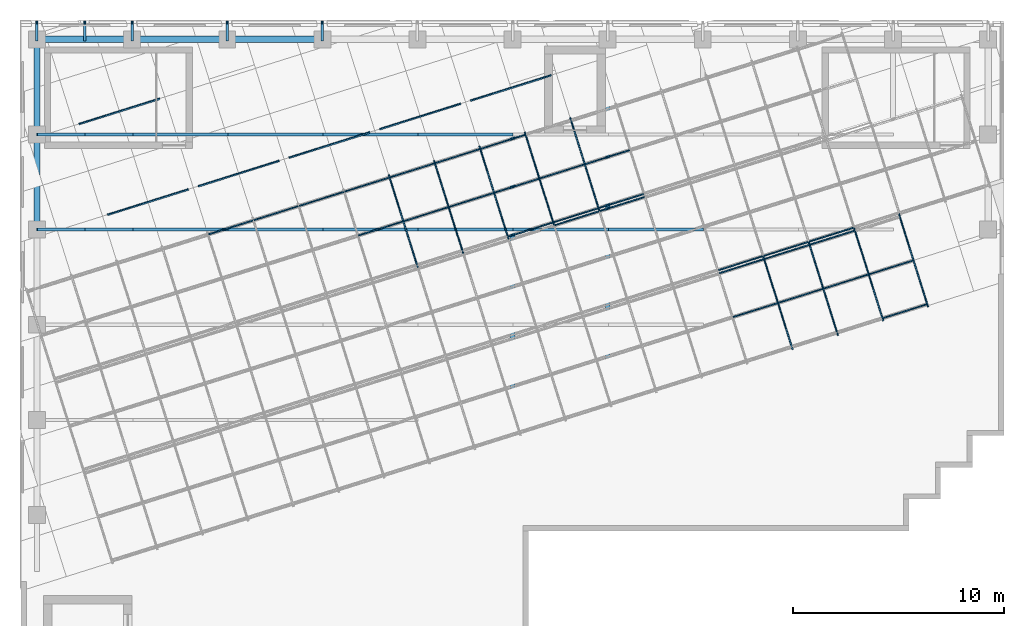
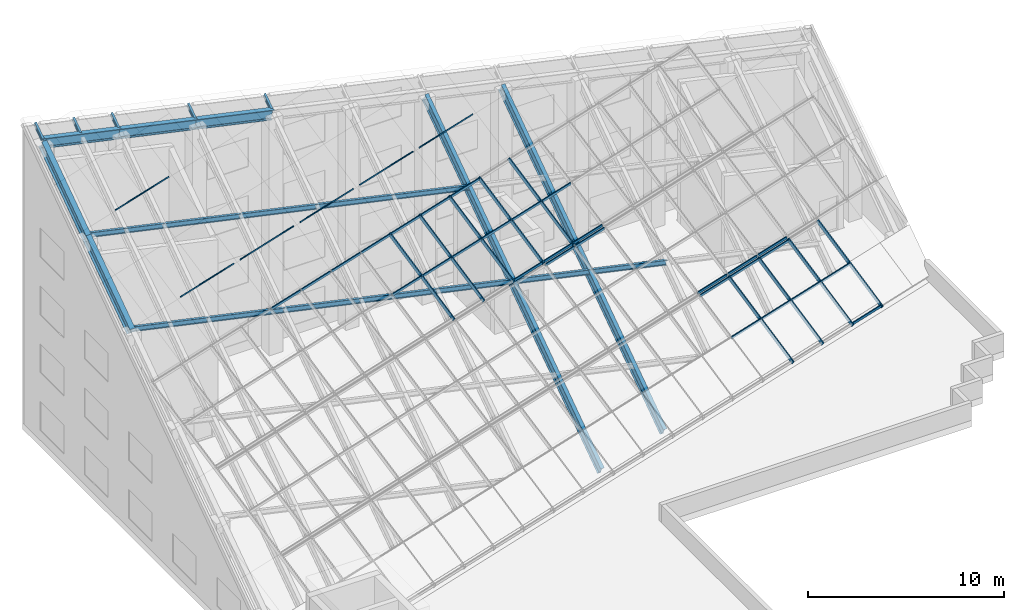
# One storey, part 4 of 14: 70 members, 3 elements without a shape of their own.
"""IFC4 building model written with IfcOpenShell, lengths in metres."""

from ifc_helpers import new_model, si_unit, direction, frame, origin, origin_2d, place, context, subcontext, project, spatial, rectangle, i_section, extrude, material, material_profile, profile_set, type_object, element, aggregate, save


model = new_model("IFC4")

# Units and contexts
model_context = context("Model", 3, precision=1e-05, world=origin(), true_north=direction((0.0, 1.0)))
body_context = subcontext(model_context, "Body", "Model", "MODEL_VIEW")
ifc_project = project(units=[si_unit("LENGTHUNIT", "METRE"), si_unit("AREAUNIT", "SQUARE_METRE"), si_unit("VOLUMEUNIT", "CUBIC_METRE"), si_unit("PLANEANGLEUNIT", "RADIAN"), si_unit("MASSUNIT", "GRAM", prefix="KILO")], contexts=[model_context])

# Site, building, storey
site_placement = place(None, origin())
site = spatial("IfcSite", under=ifc_project, at=site_placement, CompositionType="ELEMENT")
building_placement = place(site_placement, origin())
building = spatial("IfcBuilding", under=site, at=building_placement, Name="Firuza Court", CompositionType="ELEMENT")
storey_placement = place(building_placement, frame((0.0, 0.0, 266.199951171875)))
storey = spatial("IfcBuildingStorey", under=building, at=storey_placement, Name="L68 Crown", CompositionType="ELEMENT", Elevation=266.199951171875)

# Members
ifc_material_1 = material(Name="Steel S355", Category="steel")
ifc_material_profile_1 = material_profile(ifc_material_1, i_section(OverallWidth=0.1201171875, OverallDepth=0.239990234375, WebThickness=0.006103515625, FlangeThickness=0.009765625, FilletRadius=0.014892578125, at=origin_2d()), Name="IPE 240")
ifc_profile_set_1 = profile_set([ifc_material_profile_1], Name="Steel S355")
member_type_1 = type_object("IfcMemberType", Name="Crown eave bracket IPE 240 S355", PredefinedType="MEMBER", material=ifc_profile_set_1)
for number, where, z_axis, x_axis, name in (
    (1, (0.0, 58.5, 17.800048828125), (0.0, 0.82192121819, 0.569601185996), (-1.0, 0.0, 0.0), "Crown frame eave bracket"),
    (2, (2.25, 58.5, 17.3095703125), (0.0, 0.82192121819, 0.569601185996), (-1.0, 0.0, 0.0), "Crown frame eave bracket"),
    (3, (4.5, 58.5, 16.819091796875), (0.0, 0.82192121819, 0.569601185996), (-1.0, 0.0, 0.0), "Crown frame eave bracket"),
    (4, (9.0, 58.5, 15.83837890625), (0.0, 0.82192121819, 0.569601185996), (-1.0, 0.0, 0.0), "Crown frame eave bracket"),
    (5, (13.5, 58.5, 14.857666015625), (0.0, 0.82192121819, 0.569601185996), (-1.0, 0.0, 0.0), "Crown frame eave bracket"),
):
    element("IfcMember", number, at=place(storey_placement, frame(where, z_axis=z_axis, x_axis=x_axis)), inside=storey, type_object=member_type_1, Name=name, PredefinedType="MEMBER", context=body_context, shape_type="SweptSolid", body=[
        extrude(i_section(OverallWidth=0.1201171875, OverallDepth=0.239990234375, WebThickness=0.006103515625, FlangeThickness=0.009765625, FilletRadius=0.014892578125, at=origin_2d()), origin(), (0.0, 0.0, 1.0), 0.973388671875),
    ])
ifc_material_2 = material(Name="Steel S355", Category="steel")
ifc_material_profile_2 = material_profile(ifc_material_2, i_section(OverallWidth=0.14990234375, OverallDepth=0.300048828125, WebThickness=0.007080078125, FlangeThickness=0.0107421875, FilletRadius=0.014892578125, at=origin_2d()), Name="IPE 300")
ifc_profile_set_2 = profile_set([ifc_material_profile_2], Name="Steel S355")
member_type_2 = type_object("IfcMemberType", Name="Crown purlin IPE 300 S355", PredefinedType="PURLIN", material=ifc_profile_set_2)
for number, where, z_axis, x_axis, name in (
    (6, (0.0, 49.5, 11.482666015625), (0.97707674371, 0.0, -0.212887380791), (0.0, 1.0, 0.0), "Crown frame purlin"),
    (7, (2.25, 49.5, 10.992431640625), (0.977054686112, 0.0, -0.212988592057), (0.0, 1.0, 0.0), "Crown frame purlin"),
):
    element("IfcMember", number, at=place(storey_placement, frame(where, z_axis=z_axis, x_axis=x_axis)), inside=storey, type_object=member_type_2, Name=name, PredefinedType="PURLIN", context=body_context, shape_type="SweptSolid", body=[
        extrude(i_section(OverallWidth=0.14990234375, OverallDepth=0.300048828125, WebThickness=0.007080078125, FlangeThickness=0.0107421875, FilletRadius=0.014892578125, at=origin_2d()), origin(), (0.0, 0.0, 1.0), 2.302734375),
    ])
for number, where, z_axis, x_axis, name in (
    (8, (4.5, 49.5, 10.501953125), (0.977065716097, 0.0, -0.212937987281), (0.0, 1.0, 0.0), "Crown frame purlin"),
    (9, (9.0, 49.5, 9.521240234375), (0.977054686112, 0.0, -0.212988592057), (0.0, 1.0, 0.0), "Crown frame purlin"),
    (10, (13.5, 49.5, 8.540283203125), (0.977065716097, 0.0, -0.212937987281), (0.0, 1.0, 0.0), "Crown frame purlin"),
    (11, (18.0, 49.5, 7.5595703125), (0.977065716097, 0.0, -0.212937987281), (0.0, 1.0, 0.0), "Crown frame purlin"),
    (12, (22.5, 49.5, 6.578857421875), (0.977065716097, 0.0, -0.212937987281), (0.0, 1.0, 0.0), "Crown frame purlin"),
    (13, (27.0, 49.5, 5.59814453125), (0.977054686112, 0.0, -0.212988592057), (0.0, 1.0, 0.0), "Crown frame purlin"),
):
    element("IfcMember", number, at=place(storey_placement, frame(where, z_axis=z_axis, x_axis=x_axis)), inside=storey, type_object=member_type_2, Name=name, PredefinedType="PURLIN", context=body_context, shape_type="SweptSolid", body=[
        extrude(i_section(OverallWidth=0.14990234375, OverallDepth=0.300048828125, WebThickness=0.007080078125, FlangeThickness=0.0107421875, FilletRadius=0.014892578125, at=origin_2d()), origin(), (0.0, 0.0, 1.0), 4.605712890625),
    ])
for number, where, z_axis, x_axis, name in (
    (14, (0.0, 54.0, 14.6015625), (0.977054686112, 0.0, -0.212988592057), (0.0, 1.0, 0.0), "Crown frame purlin"),
    (15, (2.25, 54.0, 14.111083984375), (0.97707674371, 0.0, -0.212887380791), (0.0, 1.0, 0.0), "Crown frame purlin"),
):
    element("IfcMember", number, at=place(storey_placement, frame(where, z_axis=z_axis, x_axis=x_axis)), inside=storey, type_object=member_type_2, Name=name, PredefinedType="PURLIN", context=body_context, shape_type="SweptSolid", body=[
        extrude(i_section(OverallWidth=0.14990234375, OverallDepth=0.300048828125, WebThickness=0.007080078125, FlangeThickness=0.0107421875, FilletRadius=0.014892578125, at=origin_2d()), origin(), (0.0, 0.0, 1.0), 2.302734375),
    ])
for number, where, z_axis, x_axis, name in (
    (16, (4.5, 54.0, 13.620849609375), (0.977065716097, 0.0, -0.212937987281), (0.0, 1.0, 0.0), "Crown frame purlin"),
    (17, (9.0, 54.0, 12.64013671875), (0.977054686112, 0.0, -0.212988592057), (0.0, 1.0, 0.0), "Crown frame purlin"),
    (18, (13.5, 54.0, 11.6591796875), (0.977065716097, 0.0, -0.212937987281), (0.0, 1.0, 0.0), "Crown frame purlin"),
    (19, (18.0, 54.0, 10.678466796875), (0.977065716097, 0.0, -0.212937987281), (0.0, 1.0, 0.0), "Crown frame purlin"),
):
    element("IfcMember", number, at=place(storey_placement, frame(where, z_axis=z_axis, x_axis=x_axis)), inside=storey, type_object=member_type_2, Name=name, PredefinedType="PURLIN", context=body_context, shape_type="SweptSolid", body=[
        extrude(i_section(OverallWidth=0.14990234375, OverallDepth=0.300048828125, WebThickness=0.007080078125, FlangeThickness=0.0107421875, FilletRadius=0.014892578125, at=origin_2d()), origin(), (0.0, 0.0, 1.0), 4.605712890625),
    ])
ifc_material_3 = material(Name="Steel S355", Category="steel")
ifc_material_profile_3 = material_profile(ifc_material_3, i_section(OverallWidth=0.219970703125, OverallDepth=0.60009765625, WebThickness=0.011962890625, FlangeThickness=0.01904296875, FilletRadius=0.02392578125, at=origin_2d()), Name="IPE 600")
ifc_profile_set_3 = profile_set([ifc_material_profile_3], Name="Steel S355")
member_type_3 = type_object("IfcMemberType", Name="Crown rafter IPE 600 S355", PredefinedType="RAFTER", material=ifc_profile_set_3)
member_1_placement = place(storey_placement, frame((22.5, 40.56494140625, 0.20263671875), z_axis=(0.0, 0.821895238966, 0.569638671585), x_axis=(-1.0, 0.0, 0.0)))
element("IfcMember", 20, at=member_1_placement, inside=storey, type_object=member_type_3, Name="Crown frame rafter", PredefinedType="RAFTER", context=body_context, shape_type="SweptSolid", body=[
    extrude(i_section(OverallWidth=0.219970703125, OverallDepth=0.60009765625, WebThickness=0.011962890625, FlangeThickness=0.01904296875, FilletRadius=0.02392578125, at=origin_2d()), origin(), (0.0, 0.0, 1.0), 21.821533203125),
])
member_2_placement = place(storey_placement, frame((27.0, 41.97998046875, 0.20263671875), z_axis=(0.0, 0.821894736882, 0.569639396009), x_axis=(-1.0, 0.0, 0.0)))
element("IfcMember", 21, at=member_2_placement, inside=storey, type_object=member_type_3, Name="Crown frame rafter", PredefinedType="RAFTER", context=body_context, shape_type="SweptSolid", body=[
    extrude(i_section(OverallWidth=0.219970703125, OverallDepth=0.60009765625, WebThickness=0.011962890625, FlangeThickness=0.01904296875, FilletRadius=0.02392578125, at=origin_2d()), origin(), (0.0, 0.0, 1.0), 20.099853515625),
])
ifc_material_4 = material(Name="Steel S355", Category="steel")
ifc_material_profile_4 = material_profile(ifc_material_4, i_section(OverallWidth=0.300048828125, OverallDepth=0.60009765625, WebThickness=0.015380859375, FlangeThickness=0.030029296875, FilletRadius=0.027099609375, at=origin_2d()), Name="HE 600 B")
ifc_profile_set_4 = profile_set([ifc_material_profile_4], Name="Steel S355")
member_type_4 = type_object("IfcMemberType", Name="Crown ring beam HE 600 B S355", PredefinedType="MEMBER", material=ifc_profile_set_4)
for number, where, z_axis, x_axis, name in (
    (22, (13.5, 58.5, 14.696533203125), (-0.977065716097, 0.0, 0.212937987281), (0.0, -1.0, 0.0), "Crown frame ring beam"),
    (23, (9.0, 58.5, 15.67724609375), (-0.977054686112, 0.0, 0.212988592057), (0.0, -1.0, 0.0), "Crown frame ring beam"),
    (24, (4.5, 58.5, 16.658203125), (-0.977065716097, 0.0, 0.212937987281), (0.0, -1.0, 0.0), "Crown frame ring beam"),
):
    element("IfcMember", number, at=place(storey_placement, frame(where, z_axis=z_axis, x_axis=x_axis)), inside=storey, type_object=member_type_4, Name=name, PredefinedType="MEMBER", context=body_context, shape_type="SweptSolid", body=[
        extrude(i_section(OverallWidth=0.300048828125, OverallDepth=0.60009765625, WebThickness=0.015380859375, FlangeThickness=0.030029296875, FilletRadius=0.027099609375, at=origin_2d()), origin(), (0.0, 0.0, 1.0), 4.605712890625),
    ])
for number, where, z_axis, x_axis, name in (
    (25, (0.0, 58.5, 17.5810546875), (0.0, -0.821891894139, -0.569643497592), (1.0, 0.0, 0.0), "Crown frame ring beam"),
    (26, (0.0, 54.0, 14.462158203125), (0.0, -0.821891894139, -0.569643497592), (1.0, 0.0, 0.0), "Crown frame ring beam"),
):
    element("IfcMember", number, at=place(storey_placement, frame(where, z_axis=z_axis, x_axis=x_axis)), inside=storey, type_object=member_type_4, Name=name, PredefinedType="MEMBER", context=body_context, shape_type="SweptSolid", body=[
        extrude(i_section(OverallWidth=0.300048828125, OverallDepth=0.60009765625, WebThickness=0.015380859375, FlangeThickness=0.030029296875, FilletRadius=0.027099609375, at=origin_2d()), origin(), (0.0, 0.0, 1.0), 5.47509765625),
    ])

# Curtain wall, members
ifc_material_5 = material(Name="Aluminium curtain wall, triple clear glazing", Category="aluminium")
curtain_wall_type = type_object("IfcCurtainWallType", Name="Crown sloped structural glazing CW5", PredefinedType="NOTDEFINED", material=ifc_material_5)
curtain_wall_1_placement = place(storey_placement, origin())
curtain_wall_1 = element("IfcCurtainWall", 27, at=curtain_wall_1_placement, inside=storey, type_object=curtain_wall_type, Name="Crown sloped structural glazing CW5 1.1", PredefinedType="NOTDEFINED")
ifc_material_6 = material(Name="Aluminium EN AW-6060 T66", Category="aluminium")
ifc_material_profile_5 = material_profile(ifc_material_6, rectangle(XDim=0.06005859375, YDim=0.219970703125, at=origin_2d()), Name="Mullion 220 x 60 CW5")
ifc_profile_set_5 = profile_set([ifc_material_profile_5], Name="Aluminium EN AW-6060 T66")
member_type_5 = type_object("IfcMemberType", Name="Mullion 220 x 60 CW5", PredefinedType="MULLION", material=ifc_profile_set_5)
member_3_placement = place(storey_placement, frame((42.141357421875, 45.901123046875, 0.26416015625), z_axis=(-0.242684330874, 0.771770408711, 0.587771002846), x_axis=(-0.953948480927, -0.299970491443, 0.0)))
member_3 = element("IfcMember", 28, at=member_3_placement, type_object=member_type_5, Name="CW5 mullion 1", PredefinedType="MULLION", context=body_context, shape_type="SweptSolid", body=[
    extrude(rectangle(XDim=0.06005859375, YDim=0.219970703125, at=origin_2d()), origin(), (0.0, 0.0, 1.0), 5.562255859375),
])
member_4_placement = place(storey_placement, frame((40.0234375, 45.235107421875, 0.26416015625), z_axis=(-0.242684330874, 0.771770408711, 0.587771002846), x_axis=(-0.953948480927, -0.299970491443, 0.0)))
member_4 = element("IfcMember", 29, at=member_4_placement, type_object=member_type_5, Name="CW5 mullion 2", PredefinedType="MULLION", context=body_context, shape_type="SweptSolid", body=[
    extrude(rectangle(XDim=0.06005859375, YDim=0.219970703125, at=origin_2d()), origin(), (0.0, 0.0, 1.0), 5.562255859375),
])
member_5_placement = place(storey_placement, frame((37.877197265625, 44.560302734375, 0.26416015625), z_axis=(-0.242725638095, 0.771762187092, 0.587764741361), x_axis=(-0.953932954767, -0.300019862359, 0.0)))
member_5 = element("IfcMember", 30, at=member_5_placement, type_object=member_type_5, Name="CW5 mullion 3", PredefinedType="MULLION", context=body_context, shape_type="SweptSolid", body=[
    extrude(rectangle(XDim=0.06005859375, YDim=0.219970703125, at=origin_2d()), origin(), (0.0, 0.0, 1.0), 5.562255859375),
])
member_6_placement = place(storey_placement, frame((35.730712890625, 43.88525390625, 0.26416015625), z_axis=(-0.242684330874, 0.771770408711, 0.587771002846), x_axis=(-0.953948480927, -0.299970491443, 0.0)))
member_6 = element("IfcMember", 31, at=member_6_placement, type_object=member_type_5, Name="CW5 mullion 4", PredefinedType="MULLION", context=body_context, shape_type="SweptSolid", body=[
    extrude(rectangle(XDim=0.06005859375, YDim=0.219970703125, at=origin_2d()), origin(), (0.0, 0.0, 1.0), 5.562255859375),
])

curtain_wall_2_placement = place(storey_placement, origin())
curtain_wall_2 = element("IfcCurtainWall", 32, at=curtain_wall_2_placement, inside=storey, type_object=curtain_wall_type, Name="Crown sloped structural glazing CW5 3.1", PredefinedType="NOTDEFINED")
member_7_placement = place(storey_placement, frame((26.591796875, 50.44580078125, 6.802978515625), z_axis=(-0.242678069863, 0.771750497813, 0.587799730803), x_axis=(-0.953948480927, -0.299970491443, 0.0)))
member_7 = element("IfcMember", 33, at=member_7_placement, type_object=member_type_5, Name="CW5 mullion 7", PredefinedType="MULLION", context=body_context, shape_type="SweptSolid", body=[
    extrude(rectangle(XDim=0.06005859375, YDim=0.219970703125, at=origin_2d()), origin(), (0.0, 0.0, 1.0), 5.562255859375),
])
member_8_placement = place(storey_placement, frame((24.4453125, 49.77099609375, 6.802978515625), z_axis=(-0.242678069863, 0.771750497813, 0.587799730803), x_axis=(-0.953948480927, -0.299970491443, 0.0)))
member_8 = element("IfcMember", 34, at=member_8_placement, type_object=member_type_5, Name="CW5 mullion 8", PredefinedType="MULLION", context=body_context, shape_type="SweptSolid", body=[
    extrude(rectangle(XDim=0.06005859375, YDim=0.219970703125, at=origin_2d()), origin(), (0.0, 0.0, 1.0), 5.562255859375),
])
member_9_placement = place(storey_placement, frame((22.299072265625, 49.095947265625, 6.802978515625), z_axis=(-0.242678069863, 0.771750497813, 0.587799730803), x_axis=(-0.953948480927, -0.299970491443, 0.0)))
member_9 = element("IfcMember", 35, at=member_9_placement, type_object=member_type_5, Name="CW5 mullion 9", PredefinedType="MULLION", context=body_context, shape_type="SweptSolid", body=[
    extrude(rectangle(XDim=0.06005859375, YDim=0.219970703125, at=origin_2d()), origin(), (0.0, 0.0, 1.0), 5.562255859375),
])
member_10_placement = place(storey_placement, frame((20.152587890625, 48.4208984375, 6.802978515625), z_axis=(-0.242669849677, 0.771768246829, 0.587779820378), x_axis=(-0.95395336245, -0.299954967071, 0.0)))
member_10 = element("IfcMember", 36, at=member_10_placement, type_object=member_type_5, Name="CW5 mullion 10", PredefinedType="MULLION", context=body_context, shape_type="SweptSolid", body=[
    extrude(rectangle(XDim=0.06005859375, YDim=0.219970703125, at=origin_2d()), origin(), (0.0, 0.0, 1.0), 5.5625),
])
member_11_placement = place(storey_placement, frame((18.00634765625, 47.74609375, 6.802978515625), z_axis=(-0.242678069863, 0.771750497813, 0.587799730803), x_axis=(-0.953948480927, -0.299970491443, 0.0)))
member_11 = element("IfcMember", 37, at=member_11_placement, type_object=member_type_5, Name="CW5 mullion 11", PredefinedType="MULLION", context=body_context, shape_type="SweptSolid", body=[
    extrude(rectangle(XDim=0.06005859375, YDim=0.219970703125, at=origin_2d()), origin(), (0.0, 0.0, 1.0), 5.562255859375),
])

# Members
ifc_material_7 = material(Name="Stainless steel 1.4301", Category="steel")
ifc_material_profile_6 = material_profile(ifc_material_7, rectangle(XDim=0.06005859375, YDim=0.06005859375, at=origin_2d()), Name="Snow guard bar 60 x 60")
ifc_profile_set_6 = profile_set([ifc_material_profile_6], Name="Stainless steel 1.4301")
member_type_6 = type_object("IfcMemberType", Name="Snow guard bar 60", PredefinedType="USERDEFINED", material=ifc_profile_set_6)
for number, where, z_axis, x_axis, name in (
    (38, (24.328369140625, 56.81005859375, 11.880126953125), (-0.953940827876, -0.299994828141, 0.0), (0.24270091419, -0.77175434138, 0.587785252292), "Snow guard"),
    (39, (20.03564453125, 55.460205078125, 11.880126953125), (-0.953940827876, -0.299994828141, 0.0), (0.24270091419, -0.77175434138, 0.587785252292), "Snow guard"),
    (40, (15.742919921875, 54.110107421875, 11.880126953125), (-0.953940827876, -0.299994828141, 0.0), (0.24270091419, -0.77175434138, 0.587785252292), "Snow guard"),
    (41, (11.4501953125, 52.76025390625, 11.880126953125), (-0.953940827876, -0.299994828141, 0.0), (0.24270091419, -0.77175434138, 0.587785252292), "Snow guard"),
    (42, (7.157470703125, 51.410400390625, 11.880126953125), (-0.953940827876, -0.299994828141, 0.0), (0.24270091419, -0.77175434138, 0.587785252292), "Snow guard"),
):
    element("IfcMember", number, at=place(storey_placement, frame(where, z_axis=z_axis, x_axis=x_axis)), inside=storey, type_object=member_type_6, Name=name, ObjectType="SNOW GUARD", PredefinedType="USERDEFINED", context=body_context, shape_type="SweptSolid", body=[
        extrude(rectangle(XDim=0.06005859375, YDim=0.06005859375, at=origin_2d()), origin(), (0.0, 0.0, 1.0), 4.0),
    ])
member_12_placement = place(storey_placement, frame((5.8076171875, 55.703125, 15.149658203125), z_axis=(-0.9539463205, -0.299977361821, 0.0), x_axis=(0.242686783641, -0.771758785006, 0.587785252292)))
element("IfcMember", 43, at=member_12_placement, inside=storey, type_object=member_type_6, Name="Snow guard", ObjectType="SNOW GUARD", PredefinedType="USERDEFINED", context=body_context, shape_type="SweptSolid", body=[
    extrude(rectangle(XDim=0.06005859375, YDim=0.06005859375, at=origin_2d()), origin(), (0.0, 0.0, 1.0), 4.000244140625),
])

# Member
ifc_material_8 = material(Name="Aluminium EN AW-6060 T66", Category="aluminium")
ifc_material_profile_7 = material_profile(ifc_material_8, rectangle(XDim=0.06005859375, YDim=0.14990234375, at=origin_2d()), Name="Transom 150 x 60 CW5")
ifc_profile_set_7 = profile_set([ifc_material_profile_7], Name="Aluminium EN AW-6060 T66")
member_type_7 = type_object("IfcMemberType", Name="Transom 150 x 60 CW5", PredefinedType="USERDEFINED", material=ifc_profile_set_7)
member_13_placement = place(storey_placement, frame((42.090087890625, 45.963623046875, 0.318603515625), z_axis=(-0.953947520719, -0.299973545022, 0.0), x_axis=(0.299973545022, -0.953947520719, 0.0)))
member_13 = element("IfcMember", 44, at=member_13_placement, type_object=member_type_7, Name="CW5 transom 1.1", ObjectType="TRANSOM", PredefinedType="USERDEFINED", context=body_context, shape_type="SweptSolid", body=[
    extrude(rectangle(XDim=0.06005859375, YDim=0.14990234375, at=origin_2d()), origin(), (0.0, 0.0, 1.0), 2.159912109375),
])

member_14_placement = place(storey_placement, frame((41.437744140625, 48.03857421875, 1.89892578125), z_axis=(-0.953947520719, -0.299973545022, 0.0), x_axis=(0.299973545022, -0.953947520719, 0.0)))
member_14 = element("IfcMember", 45, at=member_14_placement, type_object=member_type_7, Name="CW5 transom 2.1", ObjectType="TRANSOM", PredefinedType="USERDEFINED", context=body_context, shape_type="SweptSolid", body=[
    extrude(rectangle(XDim=0.06005859375, YDim=0.14990234375, at=origin_2d()), origin(), (0.0, 0.0, 1.0), 2.159912109375),
])

member_15_placement = place(storey_placement, frame((39.31982421875, 47.37255859375, 1.89892578125), z_axis=(-0.953940860537, -0.299994724285, 0.0), x_axis=(0.299994724285, -0.953940860537, 0.0)))
member_15 = element("IfcMember", 46, at=member_15_placement, type_object=member_type_7, Name="CW5 transom 2.2", ObjectType="TRANSOM", PredefinedType="USERDEFINED", context=body_context, shape_type="SweptSolid", body=[
    extrude(rectangle(XDim=0.06005859375, YDim=0.14990234375, at=origin_2d()), origin(), (0.0, 0.0, 1.0), 2.18994140625),
])

member_16_placement = place(storey_placement, frame((37.173583984375, 46.697509765625, 1.89892578125), z_axis=(-0.953940860537, -0.299994724285, 0.0), x_axis=(0.299994724285, -0.953940860537, 0.0)))
member_16 = element("IfcMember", 47, at=member_16_placement, type_object=member_type_7, Name="CW5 transom 2.3", ObjectType="TRANSOM", PredefinedType="USERDEFINED", context=body_context, shape_type="SweptSolid", body=[
    extrude(rectangle(XDim=0.06005859375, YDim=0.14990234375, at=origin_2d()), origin(), (0.0, 0.0, 1.0), 2.18994140625),
])

member_17_placement = place(storey_placement, frame((35.027099609375, 46.022705078125, 1.89892578125), z_axis=(-0.953940860537, -0.299994724285, 0.0), x_axis=(0.299994724285, -0.953940860537, 0.0)))
member_17 = element("IfcMember", 48, at=member_17_placement, type_object=member_type_7, Name="CW5 transom 2.4", ObjectType="TRANSOM", PredefinedType="USERDEFINED", context=body_context, shape_type="SweptSolid", body=[
    extrude(rectangle(XDim=0.06005859375, YDim=0.14990234375, at=origin_2d()), origin(), (0.0, 0.0, 1.0), 2.18994140625),
])

member_18_placement = place(storey_placement, frame((38.66748046875, 49.447509765625, 3.47900390625), z_axis=(-0.953908952955, -0.300096167039, 0.0), x_axis=(0.300096167039, -0.953908952955, 0.0)))
member_18 = element("IfcMember", 49, at=member_18_placement, type_object=member_type_7, Name="CW5 transom 3.2", ObjectType="TRANSOM", PredefinedType="USERDEFINED", context=body_context, shape_type="SweptSolid", body=[
    extrude(rectangle(XDim=0.06005859375, YDim=0.14990234375, at=origin_2d()), origin(), (0.0, 0.0, 1.0), 2.18994140625),
])

member_19_placement = place(storey_placement, frame((36.52099609375, 48.7724609375, 3.47900390625), z_axis=(-0.953940860537, -0.299994724285, 0.0), x_axis=(0.299994724285, -0.953940860537, 0.0)))
member_19 = element("IfcMember", 50, at=member_19_placement, type_object=member_type_7, Name="CW5 transom 3.3", ObjectType="TRANSOM", PredefinedType="USERDEFINED", context=body_context, shape_type="SweptSolid", body=[
    extrude(rectangle(XDim=0.06005859375, YDim=0.14990234375, at=origin_2d()), origin(), (0.0, 0.0, 1.0), 2.18994140625),
])

member_20_placement = place(storey_placement, frame((34.374755859375, 48.097412109375, 3.47900390625), z_axis=(-0.953940860537, -0.299994724285, 0.0), x_axis=(0.299994724285, -0.953940860537, 0.0)))
member_20 = element("IfcMember", 51, at=member_20_placement, type_object=member_type_7, Name="CW5 transom 3.4", ObjectType="TRANSOM", PredefinedType="USERDEFINED", context=body_context, shape_type="SweptSolid", body=[
    extrude(rectangle(XDim=0.06005859375, YDim=0.14990234375, at=origin_2d()), origin(), (0.0, 0.0, 1.0), 2.18994140625),
])

aggregate(curtain_wall_1, [member_3, member_4, member_5, member_6, member_13, member_14, member_15, member_16, member_17, member_18, member_19, member_20])

# Curtain wall, members
curtain_wall_3_placement = place(storey_placement, origin())
curtain_wall_3 = element("IfcCurtainWall", 52, at=curtain_wall_3_placement, inside=storey, type_object=curtain_wall_type, Name="Crown sloped structural glazing CW5 2.1", PredefinedType="NOTDEFINED")
member_21_placement = place(storey_placement, frame((38.62255859375, 49.590576171875, 3.588134765625), z_axis=(-0.953950891852, -0.299962824255, 0.0), x_axis=(0.299962824255, -0.953950891852, 0.0)))
member_21 = element("IfcMember", 53, at=member_21_placement, type_object=member_type_7, Name="CW5 transom 1.4", ObjectType="TRANSOM", PredefinedType="USERDEFINED", context=body_context, shape_type="SweptSolid", body=[
    extrude(rectangle(XDim=0.06005859375, YDim=0.14990234375, at=origin_2d()), origin(), (0.0, 0.0, 1.0), 2.190185546875),
])
member_22_placement = place(storey_placement, frame((36.47607421875, 48.91552734375, 3.588134765625), z_axis=(-0.953940860537, -0.299994724285, 0.0), x_axis=(0.299994724285, -0.953940860537, 0.0)))
member_22 = element("IfcMember", 54, at=member_22_placement, type_object=member_type_7, Name="CW5 transom 1.5", ObjectType="TRANSOM", PredefinedType="USERDEFINED", context=body_context, shape_type="SweptSolid", body=[
    extrude(rectangle(XDim=0.06005859375, YDim=0.14990234375, at=origin_2d()), origin(), (0.0, 0.0, 1.0), 2.18994140625),
])
member_23_placement = place(storey_placement, frame((34.32958984375, 48.240478515625, 3.588134765625), z_axis=(-0.953940860537, -0.299994724285, 0.0), x_axis=(0.299994724285, -0.953940860537, 0.0)))
member_23 = element("IfcMember", 55, at=member_23_placement, type_object=member_type_7, Name="CW5 transom 1.6", ObjectType="TRANSOM", PredefinedType="USERDEFINED", context=body_context, shape_type="SweptSolid", body=[
    extrude(rectangle(XDim=0.06005859375, YDim=0.14990234375, at=origin_2d()), origin(), (0.0, 0.0, 1.0), 2.18994140625),
])
member_24_placement = place(storey_placement, frame((28.732177734375, 51.040283203125, 6.74853515625), z_axis=(-0.953950891852, -0.299962824255, 0.0), x_axis=(0.299962824255, -0.953950891852, 0.0)))
member_24 = element("IfcMember", 56, at=member_24_placement, type_object=member_type_7, Name="CW5 transom 3.8", ObjectType="TRANSOM", PredefinedType="USERDEFINED", context=body_context, shape_type="SweptSolid", body=[
    extrude(rectangle(XDim=0.06005859375, YDim=0.14990234375, at=origin_2d()), origin(), (0.0, 0.0, 1.0), 2.190185546875),
])
member_25_placement = place(storey_placement, frame((26.585693359375, 50.365234375, 6.74853515625), z_axis=(-0.953972759463, -0.299893271352, 0.0), x_axis=(0.299893271352, -0.953972759463, 0.0)))
member_25 = element("IfcMember", 57, at=member_25_placement, type_object=member_type_7, Name="CW5 transom 3.9", ObjectType="TRANSOM", PredefinedType="USERDEFINED", context=body_context, shape_type="SweptSolid", body=[
    extrude(rectangle(XDim=0.06005859375, YDim=0.14990234375, at=origin_2d()), origin(), (0.0, 0.0, 1.0), 2.18994140625),
])
aggregate(curtain_wall_3, [member_21, member_22, member_23, member_24, member_25])

# Member
member_26_placement = place(storey_placement, frame((28.68701171875, 51.183349609375, 6.857421875), z_axis=(-0.953940860537, -0.299994724285, 0.0), x_axis=(0.299994724285, -0.953940860537, 0.0)))
member_26 = element("IfcMember", 58, at=member_26_placement, type_object=member_type_7, Name="CW5 transom 1.6", ObjectType="TRANSOM", PredefinedType="USERDEFINED", context=body_context, shape_type="SweptSolid", body=[
    extrude(rectangle(XDim=0.06005859375, YDim=0.14990234375, at=origin_2d()), origin(), (0.0, 0.0, 1.0), 2.18994140625),
])

member_27_placement = place(storey_placement, frame((26.540771484375, 50.50830078125, 6.857421875), z_axis=(-0.953972759463, -0.299893271352, 0.0), x_axis=(0.299893271352, -0.953972759463, 0.0)))
member_27 = element("IfcMember", 59, at=member_27_placement, type_object=member_type_7, Name="CW5 transom 1.7", ObjectType="TRANSOM", PredefinedType="USERDEFINED", context=body_context, shape_type="SweptSolid", body=[
    extrude(rectangle(XDim=0.06005859375, YDim=0.14990234375, at=origin_2d()), origin(), (0.0, 0.0, 1.0), 2.18994140625),
])

member_28_placement = place(storey_placement, frame((24.394287109375, 49.83349609375, 6.857421875), z_axis=(-0.953940860537, -0.299994724285, 0.0), x_axis=(0.299994724285, -0.953940860537, 0.0)))
member_28 = element("IfcMember", 60, at=member_28_placement, type_object=member_type_7, Name="CW5 transom 1.8", ObjectType="TRANSOM", PredefinedType="USERDEFINED", context=body_context, shape_type="SweptSolid", body=[
    extrude(rectangle(XDim=0.06005859375, YDim=0.14990234375, at=origin_2d()), origin(), (0.0, 0.0, 1.0), 2.18994140625),
])

member_29_placement = place(storey_placement, frame((28.03466796875, 53.25830078125, 8.437744140625), z_axis=(-0.953940860537, -0.299994724285, 0.0), x_axis=(0.299994724285, -0.953940860537, 0.0)))
member_29 = element("IfcMember", 61, at=member_29_placement, type_object=member_type_7, Name="CW5 transom 2.6", ObjectType="TRANSOM", PredefinedType="USERDEFINED", context=body_context, shape_type="SweptSolid", body=[
    extrude(rectangle(XDim=0.06005859375, YDim=0.14990234375, at=origin_2d()), origin(), (0.0, 0.0, 1.0), 2.18994140625),
])

member_30_placement = place(storey_placement, frame((25.88818359375, 52.583251953125, 8.437744140625), z_axis=(-0.953940860537, -0.299994724285, 0.0), x_axis=(0.299994724285, -0.953940860537, 0.0)))
member_30 = element("IfcMember", 62, at=member_30_placement, type_object=member_type_7, Name="CW5 transom 2.7", ObjectType="TRANSOM", PredefinedType="USERDEFINED", context=body_context, shape_type="SweptSolid", body=[
    extrude(rectangle(XDim=0.06005859375, YDim=0.14990234375, at=origin_2d()), origin(), (0.0, 0.0, 1.0), 2.18994140625),
])

member_31_placement = place(storey_placement, frame((23.741943359375, 51.908203125, 8.437744140625), z_axis=(-0.953950891852, -0.299962824255, 0.0), x_axis=(0.299962824255, -0.953950891852, 0.0)))
member_31 = element("IfcMember", 63, at=member_31_placement, type_object=member_type_7, Name="CW5 transom 2.8", ObjectType="TRANSOM", PredefinedType="USERDEFINED", context=body_context, shape_type="SweptSolid", body=[
    extrude(rectangle(XDim=0.06005859375, YDim=0.14990234375, at=origin_2d()), origin(), (0.0, 0.0, 1.0), 2.190185546875),
])

member_32_placement = place(storey_placement, frame((21.595458984375, 51.2333984375, 8.437744140625), z_axis=(-0.953940860537, -0.299994724285, 0.0), x_axis=(0.299994724285, -0.953940860537, 0.0)))
member_32 = element("IfcMember", 64, at=member_32_placement, type_object=member_type_7, Name="CW5 transom 2.9", ObjectType="TRANSOM", PredefinedType="USERDEFINED", context=body_context, shape_type="SweptSolid", body=[
    extrude(rectangle(XDim=0.06005859375, YDim=0.14990234375, at=origin_2d()), origin(), (0.0, 0.0, 1.0), 2.18994140625),
])

member_33_placement = place(storey_placement, frame((19.44921875, 50.558349609375, 8.437744140625), z_axis=(-0.953940860537, -0.299994724285, 0.0), x_axis=(0.299994724285, -0.953940860537, 0.0)))
member_33 = element("IfcMember", 65, at=member_33_placement, type_object=member_type_7, Name="CW5 transom 2.10", ObjectType="TRANSOM", PredefinedType="USERDEFINED", context=body_context, shape_type="SweptSolid", body=[
    extrude(rectangle(XDim=0.06005859375, YDim=0.14990234375, at=origin_2d()), origin(), (0.0, 0.0, 1.0), 2.18994140625),
])

member_34_placement = place(storey_placement, frame((17.302734375, 49.88330078125, 8.437744140625), z_axis=(-0.953972759463, -0.299893271352, 0.0), x_axis=(0.299893271352, -0.953972759463, 0.0)))
member_34 = element("IfcMember", 66, at=member_34_placement, type_object=member_type_7, Name="CW5 transom 2.11", ObjectType="TRANSOM", PredefinedType="USERDEFINED", context=body_context, shape_type="SweptSolid", body=[
    extrude(rectangle(XDim=0.06005859375, YDim=0.14990234375, at=origin_2d()), origin(), (0.0, 0.0, 1.0), 2.18994140625),
])

member_35_placement = place(storey_placement, frame((23.08935546875, 53.983154296875, 10.01806640625), z_axis=(-0.953940860537, -0.299994724285, 0.0), x_axis=(0.299994724285, -0.953940860537, 0.0)))
member_35 = element("IfcMember", 67, at=member_35_placement, type_object=member_type_7, Name="CW5 transom 3.8", ObjectType="TRANSOM", PredefinedType="USERDEFINED", context=body_context, shape_type="SweptSolid", body=[
    extrude(rectangle(XDim=0.06005859375, YDim=0.14990234375, at=origin_2d()), origin(), (0.0, 0.0, 1.0), 2.18994140625),
])

member_36_placement = place(storey_placement, frame((20.943115234375, 53.30810546875, 10.01806640625), z_axis=(-0.953940860537, -0.299994724285, 0.0), x_axis=(0.299994724285, -0.953940860537, 0.0)))
member_36 = element("IfcMember", 68, at=member_36_placement, type_object=member_type_7, Name="CW5 transom 3.9", ObjectType="TRANSOM", PredefinedType="USERDEFINED", context=body_context, shape_type="SweptSolid", body=[
    extrude(rectangle(XDim=0.06005859375, YDim=0.14990234375, at=origin_2d()), origin(), (0.0, 0.0, 1.0), 2.18994140625),
])

member_37_placement = place(storey_placement, frame((18.796630859375, 52.63330078125, 10.01806640625), z_axis=(-0.953940860537, -0.299994724285, 0.0), x_axis=(0.299994724285, -0.953940860537, 0.0)))
member_37 = element("IfcMember", 69, at=member_37_placement, type_object=member_type_7, Name="CW5 transom 3.10", ObjectType="TRANSOM", PredefinedType="USERDEFINED", context=body_context, shape_type="SweptSolid", body=[
    extrude(rectangle(XDim=0.06005859375, YDim=0.14990234375, at=origin_2d()), origin(), (0.0, 0.0, 1.0), 2.18994140625),
])

member_38_placement = place(storey_placement, frame((16.650390625, 51.958251953125, 10.01806640625), z_axis=(-0.953950891852, -0.299962824255, 0.0), x_axis=(0.299962824255, -0.953950891852, 0.0)))
member_38 = element("IfcMember", 70, at=member_38_placement, type_object=member_type_7, Name="CW5 transom 3.11", ObjectType="TRANSOM", PredefinedType="USERDEFINED", context=body_context, shape_type="SweptSolid", body=[
    extrude(rectangle(XDim=0.06005859375, YDim=0.14990234375, at=origin_2d()), origin(), (0.0, 0.0, 1.0), 2.190185546875),
])

member_39_placement = place(storey_placement, frame((14.50390625, 51.283203125, 10.01806640625), z_axis=(-0.953940860537, -0.299994724285, 0.0), x_axis=(0.299994724285, -0.953940860537, 0.0)))
member_39 = element("IfcMember", 71, at=member_39_placement, type_object=member_type_7, Name="CW5 transom 3.12", ObjectType="TRANSOM", PredefinedType="USERDEFINED", context=body_context, shape_type="SweptSolid", body=[
    extrude(rectangle(XDim=0.06005859375, YDim=0.14990234375, at=origin_2d()), origin(), (0.0, 0.0, 1.0), 2.18994140625),
])

member_40_placement = place(storey_placement, frame((12.357421875, 50.6083984375, 10.01806640625), z_axis=(-0.953940860537, -0.299994724285, 0.0), x_axis=(0.299994724285, -0.953940860537, 0.0)))
member_40 = element("IfcMember", 72, at=member_40_placement, type_object=member_type_7, Name="CW5 transom 3.13", ObjectType="TRANSOM", PredefinedType="USERDEFINED", context=body_context, shape_type="SweptSolid", body=[
    extrude(rectangle(XDim=0.06005859375, YDim=0.14990234375, at=origin_2d()), origin(), (0.0, 0.0, 1.0), 2.18994140625),
])

member_41_placement = place(storey_placement, frame((10.211181640625, 49.933349609375, 10.01806640625), z_axis=(-0.953940860537, -0.299994724285, 0.0), x_axis=(0.299994724285, -0.953940860537, 0.0)))
member_41 = element("IfcMember", 73, at=member_41_placement, type_object=member_type_7, Name="CW5 transom 3.14", ObjectType="TRANSOM", PredefinedType="USERDEFINED", context=body_context, shape_type="SweptSolid", body=[
    extrude(rectangle(XDim=0.06005859375, YDim=0.14990234375, at=origin_2d()), origin(), (0.0, 0.0, 1.0), 2.18994140625),
])

aggregate(curtain_wall_2, [member_7, member_8, member_9, member_10, member_11, member_26, member_27, member_28, member_29, member_30, member_31, member_32, member_33, member_34, member_35, member_36, member_37, member_38, member_39, member_40, member_41])

save(model, "model.ifc")
